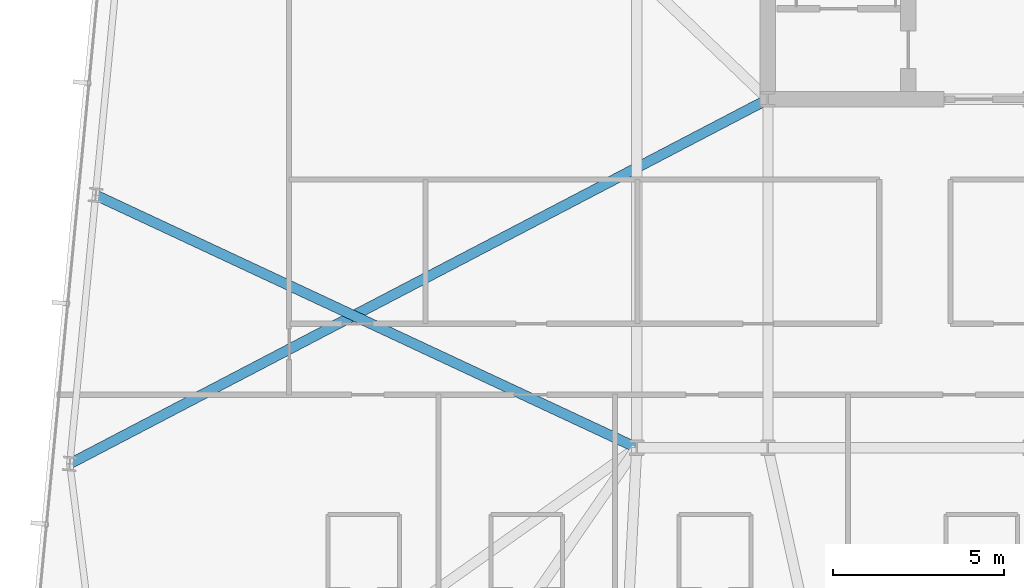
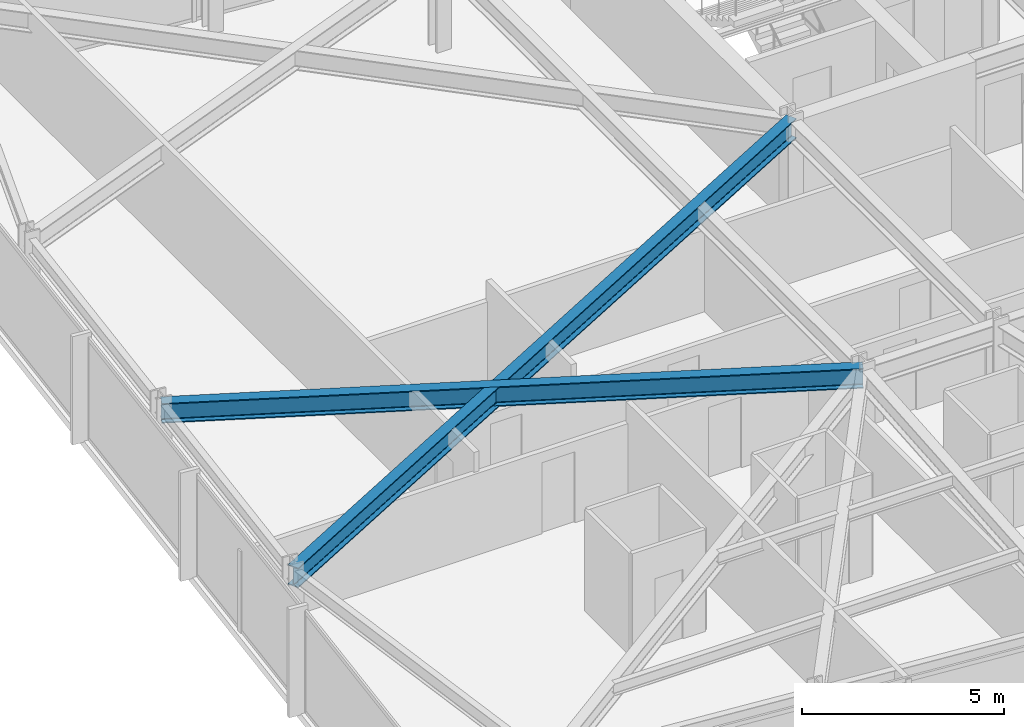
# One storey, part 9 of 37: 2 beams.
"""IFC4 building model written with IfcOpenShell, lengths in metres."""

from ifc_helpers import new_model, si_unit, direction, frame, origin, origin_2d, place, context, subcontext, project, spatial, i_section, extrude, material, material_profile, profile_set, type_object, element, save


model = new_model("IFC4")

# Units and contexts
model_context = context("Model", 3, precision=1e-05, world=origin(), true_north=direction((0.0, 1.0)))
body_context = subcontext(model_context, "Body", "Model", "MODEL_VIEW")
ifc_project = project(units=[si_unit("LENGTHUNIT", "METRE"), si_unit("AREAUNIT", "SQUARE_METRE"), si_unit("VOLUMEUNIT", "CUBIC_METRE"), si_unit("PLANEANGLEUNIT", "RADIAN"), si_unit("MASSUNIT", "GRAM", prefix="KILO")], contexts=[model_context])

# Site, building, storey
site_placement = place(None, origin())
site = spatial("IfcSite", under=ifc_project, at=site_placement, CompositionType="ELEMENT")
building_placement = place(site_placement, origin())
building = spatial("IfcBuilding", under=site, at=building_placement, Name="Yelkora Congress Tower", CompositionType="ELEMENT")
storey_placement = place(building_placement, frame((0.0, 0.0, 175.39990234375)))
storey = spatial("IfcBuildingStorey", under=building, at=storey_placement, Name="L48", CompositionType="ELEMENT", Elevation=175.39990234375)

# Beams
ifc_material = material(Name="Steel S355J2", Category="steel")
ifc_material_profile = material_profile(ifc_material, i_section(OverallWidth=0.300048828125, OverallDepth=0.60009765625, WebThickness=0.015380859375, FlangeThickness=0.030029296875, FilletRadius=0.027099609375, at=origin_2d()), Name="HEB 600")
ifc_profile_set = profile_set([ifc_material_profile], Name="Steel S355J2")
beam_type = type_object("IfcBeamType", Name="BM-GIRD-HEB600", PredefinedType="BEAM", material=ifc_profile_set)
beam_1_placement = place(storey_placement, frame((2.607421875, 24.730712890625, 2.780029296875), z_axis=(0.886430124978, 0.462862434781, 0.0), x_axis=(-0.462862434781, 0.886430124978, 0.0)))
element("IfcBeam", 1, at=beam_1_placement, inside=storey, type_object=beam_type, Name="L48 Primary Frame Girder W01", PredefinedType="BEAM", context=body_context, shape_type="SweptSolid", body=[
    extrude(i_section(OverallWidth=0.300048828125, OverallDepth=0.60009765625, WebThickness=0.015380859375, FlangeThickness=0.030029296875, FilletRadius=0.027099609375, at=origin_2d()), origin(), (0.0, 0.0, 1.0), 23.050537109375),
])
beam_2_placement = place(storey_placement, frame((3.364501953125, 32.594482421875, 2.780029296875), z_axis=(0.906081045456, -0.423104170466, 0.0), x_axis=(0.423104170466, 0.906081045456, 0.0)))
element("IfcBeam", 2, at=beam_2_placement, inside=storey, type_object=beam_type, Name="L48 Primary Frame Girder W02", PredefinedType="BEAM", context=body_context, shape_type="SweptSolid", body=[
    extrude(i_section(OverallWidth=0.300048828125, OverallDepth=0.60009765625, WebThickness=0.015380859375, FlangeThickness=0.030029296875, FilletRadius=0.027099609375, at=origin_2d()), origin(), (0.0, 0.0, 1.0), 17.476806640625),
])

save(model, "model.ifc")
